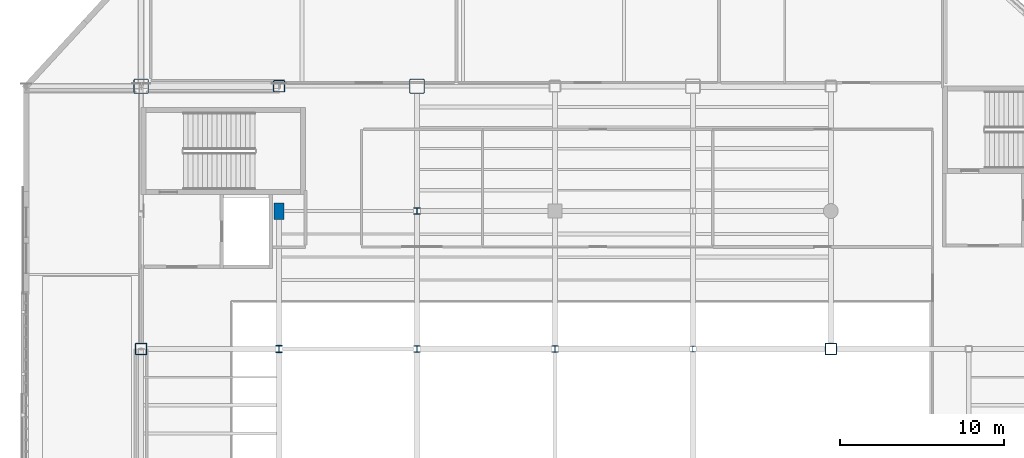
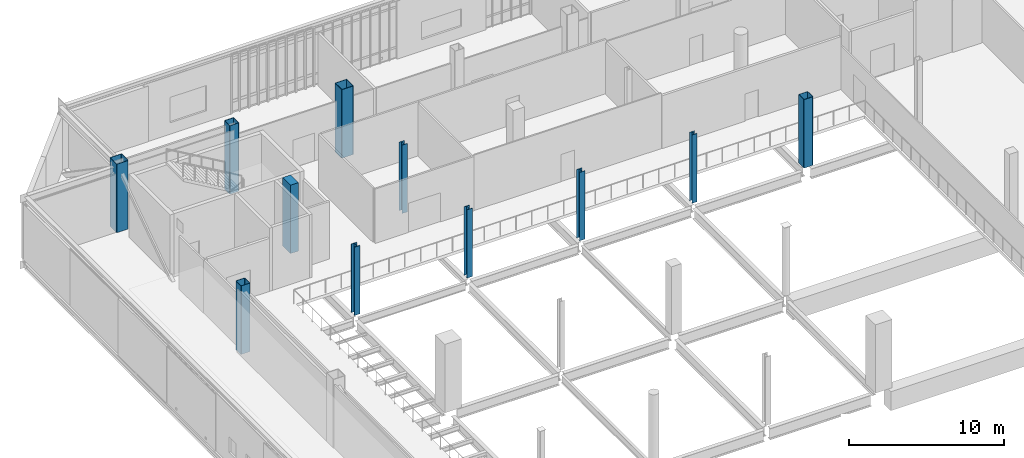
# One storey, part 9 of 127: 11 columns.
"""IFC4 building model written with IfcOpenShell, lengths in metres."""

from ifc_helpers import new_model, si_unit, direction, frame, origin, origin_2d, place, context, subcontext, project, spatial, rectangle, hollow_rectangle, i_section, extrude, material, material_profile, profile_set, type_object, element, save


model = new_model("IFC4")

# Units and contexts
model_context = context("Model", 3, precision=1e-05, world=origin(), true_north=direction((0.0, 1.0)))
body_context = subcontext(model_context, "Body", "Model", "MODEL_VIEW")
ifc_project = project(units=[si_unit("LENGTHUNIT", "METRE"), si_unit("AREAUNIT", "SQUARE_METRE"), si_unit("VOLUMEUNIT", "CUBIC_METRE"), si_unit("PLANEANGLEUNIT", "RADIAN"), si_unit("MASSUNIT", "GRAM", prefix="KILO")], contexts=[model_context])

# Site, building, storey
site_placement = place(None, origin())
site = spatial("IfcSite", under=ifc_project, at=site_placement, CompositionType="ELEMENT")
building_placement = place(site_placement, origin())
building = spatial("IfcBuilding", under=site, at=building_placement, Name="Larkvane Passage Sports Hall", CompositionType="ELEMENT")
storey_placement = place(building_placement, frame((0.0, 0.0, 5.39990234375)))
storey = spatial("IfcBuildingStorey", under=building, at=storey_placement, Name="L01", CompositionType="ELEMENT", Elevation=5.39990234375)

# Columns
ifc_material_1 = material(Name="Concrete C40/50", Category="concrete")
ifc_material_profile_1 = material_profile(ifc_material_1, rectangle(XDim=0.60009765625, YDim=1.0, at=origin_2d()), Name="RC-COL-600x1000")
ifc_profile_set_1 = profile_set([ifc_material_profile_1], Name="Concrete C40/50")
column_type_1 = type_object("IfcColumnType", Name="COL-RC-600x1000", PredefinedType="COLUMN", material=ifc_profile_set_1)
column_1_placement = place(storey_placement, frame((43.199951171875, 84.0, 0.0), z_axis=(0.0, 0.0, 1.0), x_axis=(1.0, 0.0, 0.0)))
element("IfcColumn", 1, at=column_1_placement, inside=storey, type_object=column_type_1, Name="Column 7/K L01", PredefinedType="COLUMN", context=body_context, shape_type="SweptSolid", body=[
    extrude(rectangle(XDim=0.60009765625, YDim=1.0, at=origin_2d()), origin(), (0.0, 0.0, 1.0), 5.400146484375),
])
ifc_material_2 = material(Name="Steel S460N", Category="steel")
ifc_material_profile_2 = material_profile(ifc_material_2, hollow_rectangle(XDim=0.699951171875, YDim=0.699951171875, WallThickness=0.028076171875, InnerFilletRadius=0.028076171875, OuterFilletRadius=0.055908203125, at=origin_2d()), Name="BOX-700x700x28")
ifc_profile_set_2 = profile_set([ifc_material_profile_2], Name="Steel S460N")
column_type_2 = type_object("IfcColumnType", Name="COL-STL-BOX700", PredefinedType="COLUMN", material=ifc_profile_set_2)
for number, where, z_axis, x_axis, name in (
    (2, (34.800048828125, 75.60009765625, 0.0), (0.0, 0.0, 1.0), (1.0, 0.0, 0.0), "Column 6/J L01"),
    (3, (43.199951171875, 91.60009765625, 0.0), (0.0, 0.0, 1.0), (1.0, 0.0, 0.0), "Column 7/L L01"),
    (4, (76.800048828125, 75.60009765625, 0.0), (0.0, 0.0, 1.0), (1.0, 0.0, 0.0), "Column 11/J L01"),
):
    element("IfcColumn", number, at=place(storey_placement, frame(where, z_axis=z_axis, x_axis=x_axis)), inside=storey, type_object=column_type_2, Name=name, PredefinedType="COLUMN", context=body_context, shape_type="SweptSolid", body=[
        extrude(hollow_rectangle(XDim=0.699951171875, YDim=0.699951171875, WallThickness=0.028076171875, InnerFilletRadius=0.028076171875, OuterFilletRadius=0.055908203125, at=origin_2d()), origin(), (0.0, 0.0, 1.0), 5.400146484375),
    ])
ifc_material_profile_3 = material_profile(ifc_material_2, hollow_rectangle(XDim=0.89990234375, YDim=0.89990234375, WallThickness=0.035888671875, InnerFilletRadius=0.035888671875, OuterFilletRadius=0.072021484375, at=origin_2d()), Name="BOX-900x900x36")
ifc_profile_set_3 = profile_set([ifc_material_profile_3], Name="Steel S460N")
column_type_3 = type_object("IfcColumnType", Name="COL-STL-BOX900", PredefinedType="COLUMN", material=ifc_profile_set_3)
for number, where, z_axis, x_axis, name in (
    (5, (34.800048828125, 91.60009765625, 0.0), (0.0, 0.0, 1.0), (1.0, 0.0, 0.0), "Column 6/L L01"),
    (6, (51.60009765625, 91.60009765625, 0.0), (0.0, 0.0, 1.0), (1.0, 0.0, 0.0), "Column 8/L L01"),
):
    element("IfcColumn", number, at=place(storey_placement, frame(where, z_axis=z_axis, x_axis=x_axis)), inside=storey, type_object=column_type_3, Name=name, PredefinedType="COLUMN", context=body_context, shape_type="SweptSolid", body=[
        extrude(hollow_rectangle(XDim=0.89990234375, YDim=0.89990234375, WallThickness=0.035888671875, InnerFilletRadius=0.035888671875, OuterFilletRadius=0.072021484375, at=origin_2d()), origin(), (0.0, 0.0, 1.0), 5.400146484375),
    ])
ifc_material_3 = material(Name="Steel S355JR", Category="steel")
ifc_material_profile_4 = material_profile(ifc_material_3, i_section(OverallWidth=0.35009765625, OverallDepth=0.35009765625, WebThickness=0.011962890625, FlangeThickness=0.01904296875, FilletRadius=0.012939453125, at=origin_2d()), Name="H-350x350x12x19")
ifc_profile_set_4 = profile_set([ifc_material_profile_4], Name="Steel S355JR")
column_type_4 = type_object("IfcColumnType", Name="COL-STL-H350", PredefinedType="COLUMN", material=ifc_profile_set_4)
column_2_placement = place(storey_placement, frame((68.39990234375, 75.60009765625, 0.0), z_axis=(0.0, 0.0, 1.0), x_axis=(1.0, 0.0, 0.0)))
element("IfcColumn", 7, at=column_2_placement, inside=storey, type_object=column_type_4, Name="Column 10/J L01", PredefinedType="COLUMN", context=body_context, shape_type="SweptSolid", body=[
    extrude(i_section(OverallWidth=0.35009765625, OverallDepth=0.35009765625, WebThickness=0.011962890625, FlangeThickness=0.01904296875, FilletRadius=0.012939453125, at=origin_2d()), origin(), (0.0, 0.0, 1.0), 5.400146484375),
])
ifc_material_profile_5 = material_profile(ifc_material_3, i_section(OverallWidth=0.39990234375, OverallDepth=0.39990234375, WebThickness=0.012939453125, FlangeThickness=0.02099609375, FilletRadius=0.02197265625, at=origin_2d()), Name="H-400x400x13x21")
ifc_profile_set_5 = profile_set([ifc_material_profile_5], Name="Steel S355JR")
column_type_5 = type_object("IfcColumnType", Name="COL-STL-H400", PredefinedType="COLUMN", material=ifc_profile_set_5)
for number, where, z_axis, x_axis, name in (
    (8, (51.60009765625, 84.0, 0.0), (0.0, 0.0, 1.0), (1.0, 0.0, 0.0), "Column 8/K L01"),
    (9, (60.0, 75.60009765625, 0.0), (0.0, 0.0, 1.0), (1.0, 0.0, 0.0), "Column 9/J L01"),
):
    element("IfcColumn", number, at=place(storey_placement, frame(where, z_axis=z_axis, x_axis=x_axis)), inside=storey, type_object=column_type_5, Name=name, PredefinedType="COLUMN", context=body_context, shape_type="SweptSolid", body=[
        extrude(i_section(OverallWidth=0.39990234375, OverallDepth=0.39990234375, WebThickness=0.012939453125, FlangeThickness=0.02099609375, FilletRadius=0.02197265625, at=origin_2d()), origin(), (0.0, 0.0, 1.0), 5.400146484375),
    ])
ifc_material_profile_6 = material_profile(ifc_material_2, i_section(OverallWidth=0.405029296875, OverallDepth=0.4140625, WebThickness=0.01806640625, FlangeThickness=0.028076171875, FilletRadius=0.02197265625, at=origin_2d()), Name="H-414x405x18x28")
ifc_profile_set_6 = profile_set([ifc_material_profile_6], Name="Steel S460N")
column_type_6 = type_object("IfcColumnType", Name="COL-STL-H414", PredefinedType="COLUMN", material=ifc_profile_set_6)
column_3_placement = place(storey_placement, frame((51.60009765625, 75.60009765625, 0.0), z_axis=(0.0, 0.0, 1.0), x_axis=(1.0, 0.0, 0.0)))
element("IfcColumn", 10, at=column_3_placement, inside=storey, type_object=column_type_6, Name="Column 8/J L01", PredefinedType="COLUMN", context=body_context, shape_type="SweptSolid", body=[
    extrude(i_section(OverallWidth=0.405029296875, OverallDepth=0.4140625, WebThickness=0.01806640625, FlangeThickness=0.028076171875, FilletRadius=0.02197265625, at=origin_2d()), origin(), (0.0, 0.0, 1.0), 5.400146484375),
])
ifc_material_profile_7 = material_profile(ifc_material_2, i_section(OverallWidth=0.406982421875, OverallDepth=0.427978515625, WebThickness=0.02001953125, FlangeThickness=0.034912109375, FilletRadius=0.02197265625, at=origin_2d()), Name="H-428x407x20x35")
ifc_profile_set_7 = profile_set([ifc_material_profile_7], Name="Steel S460N")
column_type_7 = type_object("IfcColumnType", Name="COL-STL-H428", PredefinedType="COLUMN", material=ifc_profile_set_7)
column_4_placement = place(storey_placement, frame((43.199951171875, 75.60009765625, 0.0), z_axis=(0.0, 0.0, 1.0), x_axis=(1.0, 0.0, 0.0)))
element("IfcColumn", 11, at=column_4_placement, inside=storey, type_object=column_type_7, Name="Column 7/J L01", PredefinedType="COLUMN", context=body_context, shape_type="SweptSolid", body=[
    extrude(i_section(OverallWidth=0.406982421875, OverallDepth=0.427978515625, WebThickness=0.02001953125, FlangeThickness=0.034912109375, FilletRadius=0.02197265625, at=origin_2d()), origin(), (0.0, 0.0, 1.0), 5.400146484375),
])

save(model, "model.ifc")
